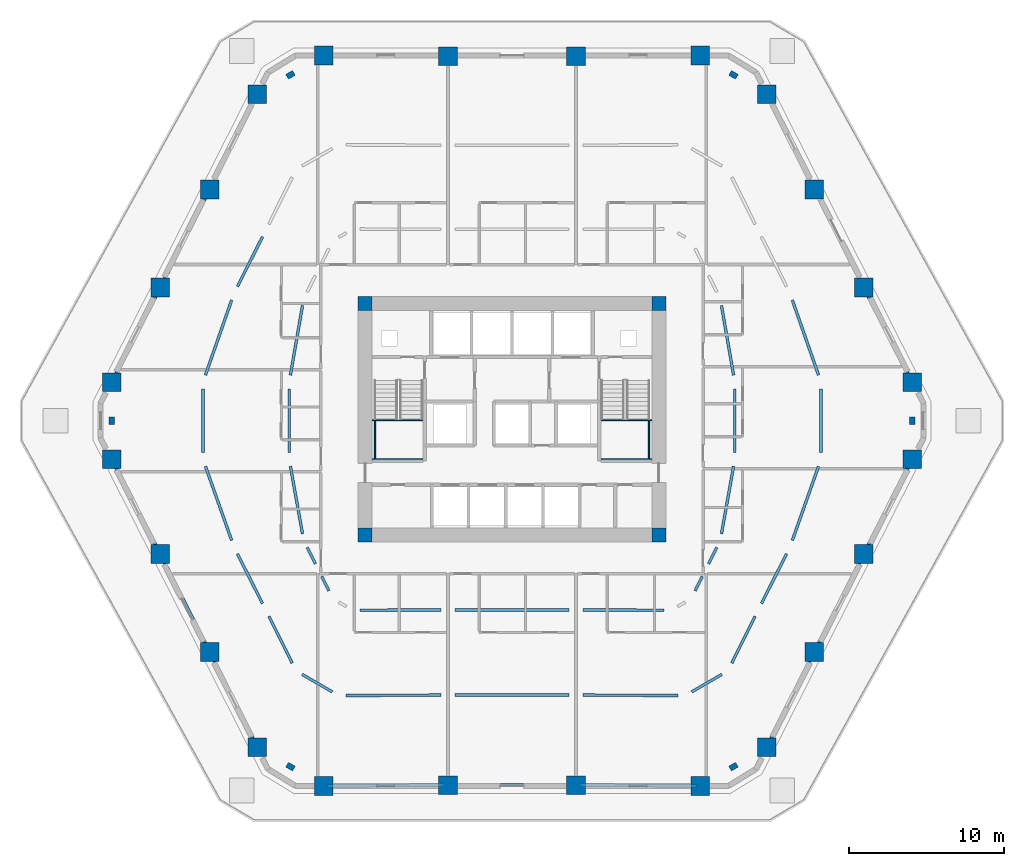
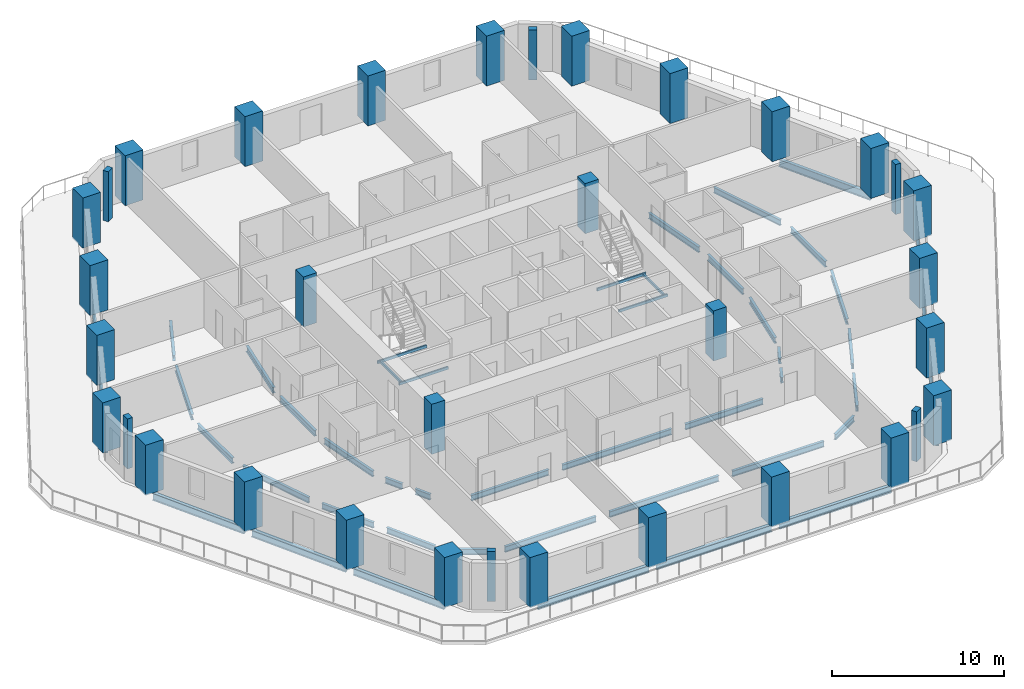
# One storey, part 1 of 10: 47 beams, 34 columns.
"""IFC4 building model written with IfcOpenShell, lengths in metres."""

import ifcopenshell
import ifcopenshell.guid

model = None  # the IFC model being written
_history = None  # IfcOwnerHistory: only IFC2X3 demands one
_inside = {}  # id of a spatial element -> (the spatial element, [elements in it])
_under = {}  # id of a project, library or spatial element -> (it, [spatial elements below it])
_declared = {}  # id of a project -> (the project, [libraries it declares])
_typed = {}  # id of a type object -> (the type object, [elements of that type])
_made_of = {}  # id of a material, layer set ... -> (it, [elements and type objects made of it])


def new_model(schema):
    """Start an empty IFC model of exactly this schema.

    Asked for "IFC4X3", IfcOpenShell would pick the latest addendum, in which some entities
    have other attributes; the version numbers below select the first issue.
    IFC2X3 requires an IfcOwnerHistory on every rooted entity: one is made here for all.
    """
    global model, _history
    if schema == "IFC4X3":
        model = ifcopenshell.file(schema_version=(4, 3, 0, 0))
    else:
        model = ifcopenshell.file(schema=schema)
    _inside.clear()
    _under.clear()
    _declared.clear()
    _typed.clear()
    _made_of.clear()
    _history = None
    if model.schema == "IFC2X3":
        org = make("IfcOrganization", Name="unknown")
        user = make(
            "IfcPersonAndOrganization",
            ThePerson=make("IfcPerson", FamilyName="unknown"),
            TheOrganization=org,
        )
        app = make(
            "IfcApplication",
            ApplicationDeveloper=org,
            Version="unknown",
            ApplicationFullName="unknown",
            ApplicationIdentifier="unknown",
        )
        _history = make(
            "IfcOwnerHistory",
            OwningUser=user,
            OwningApplication=app,
            ChangeAction="ADDED",
            CreationDate=0,
        )
    return model


def make(cls, **values):
    """One entity of the class cls with the attributes given. An attribute that is None is left unset."""
    return model.create_entity(
        cls, **{name: value for name, value in values.items() if value is not None}
    )


def rooted(cls, **values):
    """An entity with a GlobalId (a new one), such as an element, a storey or a relation."""
    return make(cls, GlobalId=ifcopenshell.guid.new(), OwnerHistory=_history, **values)


def si_unit(unit_type, name, prefix=None):
    """IfcSIUnit, for example si_unit("LENGTHUNIT", "METRE", prefix="MILLI")."""
    return make("IfcSIUnit", UnitType=unit_type, Prefix=prefix, Name=name)


def assignment(units):
    """IfcUnitAssignment: the units of a project."""
    return None if units is None else make("IfcUnitAssignment", Units=units)


def point(xyz):
    """IfcCartesianPoint."""
    return None if xyz is None else make("IfcCartesianPoint", Coordinates=xyz)


def direction(xyz):
    """IfcDirection."""
    return None if xyz is None else make("IfcDirection", DirectionRatios=xyz)


def frame(location, z_axis=None, x_axis=None):
    """IfcAxis2Placement3D, a coordinate frame: its origin and axes. An axis left out is left unset."""
    return make(
        "IfcAxis2Placement3D",
        Location=point(location),
        Axis=direction(z_axis),
        RefDirection=direction(x_axis),
    )


def frame_2d(location, x_axis=None):
    """IfcAxis2Placement2D, a coordinate frame in the plane: its origin and x axis."""
    return make(
        "IfcAxis2Placement2D", Location=point(location), RefDirection=direction(x_axis)
    )


def origin():
    """The frame at (0, 0, 0) with its axes left unset."""
    return frame((0.0, 0.0, 0.0))


def origin_2d():
    """The frame at (0, 0) in the plane with its x axis left unset."""
    return frame_2d((0.0, 0.0))


def place(relative_to, where):
    """IfcLocalPlacement: puts the frame where relative to a parent placement (None: the world)."""
    return make(
        "IfcLocalPlacement", PlacementRelTo=relative_to, RelativePlacement=where
    )


def context(
    kind, dimensions, precision=None, world=None, true_north=None, identifier=None
):
    """IfcGeometricRepresentationContext, for example the 3D "Model" context."""
    return make(
        "IfcGeometricRepresentationContext",
        ContextIdentifier=identifier,
        ContextType=kind,
        CoordinateSpaceDimension=dimensions,
        Precision=precision,
        WorldCoordinateSystem=world,
        TrueNorth=true_north,
    )


def subcontext(parent, identifier, kind, view, scale=None):
    """IfcGeometricRepresentationSubContext, for example "Body" below "Model"."""
    return make(
        "IfcGeometricRepresentationSubContext",
        ContextIdentifier=identifier,
        ContextType=kind,
        ParentContext=parent,
        TargetScale=scale,
        TargetView=view,
    )


def project(units=None, contexts=None):
    """IfcProject with its units and contexts."""
    return rooted(
        "IfcProject",
        Name="project",
        RepresentationContexts=contexts,
        UnitsInContext=assignment(units),
    )


def spatial(cls, under=None, at=None, **own):
    """A site, building, storey or space (cls), placed at a placement, below another one or the project."""
    s = rooted(cls, ObjectPlacement=at, **own)
    if under is not None:
        _under.setdefault(under.id(), (under, []))[1].append(s)
    return s


def profile(cls, at=None, kind="AREA", **sizes):
    """A parametric profile (cls). Its sizes go by their IFC names, for example OverallWidth=200.0."""
    return make(cls, ProfileType=kind, Position=at, **sizes)


def rectangle(**sizes):
    """IfcRectangleProfileDef."""
    return profile("IfcRectangleProfileDef", **sizes)


def hollow_rectangle(**sizes):
    """IfcRectangleHollowProfileDef."""
    return profile("IfcRectangleHollowProfileDef", **sizes)


def i_section(**sizes):
    """IfcIShapeProfileDef."""
    return profile("IfcIShapeProfileDef", **sizes)


def extrude(swept, where, along, depth):
    """IfcExtrudedAreaSolid: the profile swept, set in the frame where, extruded along a direction by depth."""
    return make(
        "IfcExtrudedAreaSolid",
        SweptArea=swept,
        Position=where,
        ExtrudedDirection=direction(along),
        Depth=depth,
    )


def shape(context_of_items, identifier, shape_type, items):
    """IfcShapeRepresentation: the items that make up one representation, for example the "Body"."""
    return make(
        "IfcShapeRepresentation",
        ContextOfItems=context_of_items,
        RepresentationIdentifier=identifier,
        RepresentationType=shape_type,
        Items=items,
    )


def material(Name=None, Category=None):
    """IfcMaterial."""
    return make("IfcMaterial", Name=Name, Category=Category)


def material_profile(
    of_material, cross_section, Name=None, Category=None, Priority=None
):
    """IfcMaterialProfile: a cross section and its material."""
    return make(
        "IfcMaterialProfile",
        Name=Name,
        Material=of_material,
        Profile=cross_section,
        Priority=Priority,
        Category=Category,
    )


def profile_set(profiles, Name=None, composite=None):
    """IfcMaterialProfileSet."""
    return make(
        "IfcMaterialProfileSet",
        Name=Name,
        MaterialProfiles=profiles,
        CompositeProfile=composite,
    )


def made_of(thing, what):
    """Note that an element or type object is made of a material, layer set ...; save() writes the relation."""
    if what is not None:
        _made_of.setdefault(what.id(), (what, []))[1].append(thing)
    return thing


def type_object(cls, material=None, **own):
    """A type object (cls), such as IfcWallType, which elements share."""
    return made_of(rooted(cls, **own), material)


def element(
    cls,
    number,
    at=None,
    inside=None,
    cuts=None,
    type_object=None,
    material=None,
    context=None,
    identifier="Body",
    shape_type=None,
    held_by="IfcProductDefinitionShape",
    body=None,
    shapes=None,
    **own,
):
    """One element of the class cls, such as IfcWall. Its Tag is "e" and its number.

    at: its placement. inside: the storey or other place that contains it. cuts: it is an
    opening in that element (IfcRelVoidsElement). A single representation is given by context,
    identifier, shape_type and body (its items); several are given by shapes. held_by: the class
    of the entity that holds the representations. save() writes the other relations.
    """
    e = rooted(cls, Tag="e%d" % number, ObjectPlacement=at, **own)
    if body is not None:
        shapes = [shape(context, identifier, shape_type, body)]
    if shapes is not None:
        e.Representation = make(held_by, Representations=shapes)
    if inside is not None:
        _inside.setdefault(inside.id(), (inside, []))[1].append(e)
    if cuts is not None:
        rooted(
            "IfcRelVoidsElement", RelatingBuildingElement=cuts, RelatedOpeningElement=e
        )
    if type_object is not None:
        _typed.setdefault(type_object.id(), (type_object, []))[1].append(e)
    return made_of(e, material)


def aggregate(whole, parts):
    """IfcRelAggregates: a whole, such as a stair, and the parts it consists of."""
    return rooted("IfcRelAggregates", RelatingObject=whole, RelatedObjects=parts)


def save(model, path):
    """Write the relations noted so far, then the file.

    IfcRelAggregates (storeys below a building ...), IfcRelContainedInSpatialStructure (elements
    in a storey), IfcRelDefinesByType, IfcRelAssociatesMaterial and IfcRelDeclares: one each for
    every whole, place, type object, material and project.
    """
    for whole, parts in _under.values():
        aggregate(whole, parts)
    for where, things in _inside.values():
        rooted(
            "IfcRelContainedInSpatialStructure",
            RelatedElements=things,
            RelatingStructure=where,
        )
    for kind, things in _typed.values():
        rooted("IfcRelDefinesByType", RelatedObjects=things, RelatingType=kind)
    for what, things in _made_of.values():
        rooted("IfcRelAssociatesMaterial", RelatedObjects=things, RelatingMaterial=what)
    for by, libraries in _declared.values():
        rooted("IfcRelDeclares", RelatingContext=by, RelatedDefinitions=libraries)
    model.write(path)


model = new_model("IFC4")

# Units and contexts
model_context = context("Model", 3, precision=1e-05, world=origin(), true_north=direction((0.0, 1.0)))
body_context = subcontext(model_context, "Body", "Model", "MODEL_VIEW")
ifc_project = project(units=[si_unit("LENGTHUNIT", "METRE"), si_unit("AREAUNIT", "SQUARE_METRE"), si_unit("VOLUMEUNIT", "CUBIC_METRE"), si_unit("PLANEANGLEUNIT", "RADIAN"), si_unit("MASSUNIT", "GRAM", prefix="KILO")], contexts=[model_context])

# Site, building, storey
site_placement = place(None, origin())
site = spatial("IfcSite", under=ifc_project, at=site_placement, CompositionType="ELEMENT")
building_placement = place(site_placement, origin())
building = spatial("IfcBuilding", under=site, at=building_placement, Name="Cinnabar Lancet Tower", CompositionType="ELEMENT")
storey_placement = place(building_placement, frame((0.0, 0.0, 24.89990234375)))
storey = spatial("IfcBuildingStorey", under=building, at=storey_placement, Name="L05", CompositionType="ELEMENT", Elevation=24.89990234375)

# Columns
ifc_material_1 = material(Name="Concrete C80/95", Category="concrete")
ifc_material_profile_1 = material_profile(ifc_material_1, rectangle(XDim=0.89990234375, YDim=0.89990234375, at=origin_2d()), Name="RC-COL 900x900")
ifc_profile_set_1 = profile_set([ifc_material_profile_1], Name="Concrete C80/95")
column_type_1 = type_object("IfcColumnType", Name="STR-COL-CORE-900", PredefinedType="COLUMN", material=ifc_profile_set_1)
for number, where, z_axis, x_axis, name in (
    (1, (22.949951171875, 18.449951171875, 0.0), (0.0, 0.0, 1.0), (1.0, 0.0, 0.0), "L05 Core Corner Column SW"),
    (2, (41.85009765625, 18.449951171875, 0.0), (0.0, 0.0, 1.0), (1.0, 0.0, 0.0), "L05 Core Corner Column SE"),
    (3, (41.85009765625, 33.35009765625, 0.0), (0.0, 0.0, 1.0), (1.0, 0.0, 0.0), "L05 Core Corner Column NE"),
    (4, (22.949951171875, 33.35009765625, 0.0), (0.0, 0.0, 1.0), (1.0, 0.0, 0.0), "L05 Core Corner Column NW"),
):
    element("IfcColumn", number, at=place(storey_placement, frame(where, z_axis=z_axis, x_axis=x_axis)), inside=storey, type_object=column_type_1, Name=name, PredefinedType="COLUMN", context=body_context, shape_type="SweptSolid", body=[
        extrude(rectangle(XDim=0.89990234375, YDim=0.89990234375, at=origin_2d()), origin(), (0.0, 0.0, 1.0), 3.550048828125),
    ])
ifc_material_2 = material(Name="Concrete C60/75", Category="concrete")
ifc_material_profile_2 = material_profile(ifc_material_2, rectangle(XDim=0.5, YDim=0.35009765625, at=origin_2d()), Name="RC-PIL 500x350")
ifc_profile_set_2 = profile_set([ifc_material_profile_2], Name="Concrete C60/75")
column_type_2 = type_object("IfcColumnType", Name="STR-COL-PIL-500", PredefinedType="PILASTER", material=ifc_profile_set_2)
for number, where, z_axis, x_axis, name in (
    (5, (18.139892578125, 3.531005859375, 0.0), (0.0, 0.0, 1.0), (0.865195182343, -0.501435236546, 0.0), "L05 Chamfered Corner Pilaster 1"),
    (6, (46.659912109375, 3.531005859375, 0.0), (0.0, 0.0, 1.0), (0.865195182343, 0.501435236546, 0.0), "L05 Chamfered Corner Pilaster 2"),
    (7, (58.16796875, 25.800048828125, 0.0), (0.0, 0.0, 1.0), (0.0, 1.0, 0.0), "L05 Chamfered Corner Pilaster 3"),
    (8, (46.659912109375, 48.069091796875, 0.0), (0.0, 0.0, 1.0), (-0.865195182343, 0.501435236546, 0.0), "L05 Chamfered Corner Pilaster 4"),
    (9, (18.139892578125, 48.069091796875, 0.0), (0.0, 0.0, 1.0), (-0.865195182343, -0.501435236546, 0.0), "L05 Chamfered Corner Pilaster 5"),
    (10, (6.632080078125, 25.800048828125, 0.0), (0.0, 0.0, 1.0), (0.0, -1.0, 0.0), "L05 Chamfered Corner Pilaster 6"),
):
    element("IfcColumn", number, at=place(storey_placement, frame(where, z_axis=z_axis, x_axis=x_axis)), inside=storey, type_object=column_type_2, Name=name, PredefinedType="PILASTER", context=body_context, shape_type="SweptSolid", body=[
        extrude(rectangle(XDim=0.5, YDim=0.35009765625, at=origin_2d()), origin(), (0.0, 0.0, 1.0), 3.550048828125),
    ])
ifc_material_3 = material(Name="Concrete C80/95", Category="concrete")
ifc_material_profile_3 = material_profile(ifc_material_3, rectangle(XDim=1.199951171875, YDim=1.199951171875, at=origin_2d()), Name="RC-COL 1200x1200")
ifc_profile_set_3 = profile_set([ifc_material_profile_3], Name="Concrete C80/95")
column_type_3 = type_object("IfcColumnType", Name="STR-COL-TUBE-1200", PredefinedType="COLUMN", material=ifc_profile_set_3)
for number, where, z_axis, x_axis, name in (
    (11, (20.282958984375, 2.2890625, 0.0), (0.0, 0.0, 1.0), (1.0, 0.0, 0.0), "L05 Perimeter Tube Column 1"),
    (12, (28.278076171875, 2.342041015625, 0.0), (0.0, 0.0, 1.0), (1.0, 0.0, 0.0), "L05 Perimeter Tube Column 2"),
    (13, (36.52197265625, 2.342041015625, 0.0), (0.0, 0.0, 1.0), (1.0, 0.0, 0.0), "L05 Perimeter Tube Column 3"),
    (14, (44.51708984375, 2.2890625, 0.0), (0.0, 0.0, 1.0), (1.0, 0.0, 0.0), "L05 Perimeter Tube Column 4"),
    (15, (48.802978515625, 4.77294921875, 0.0), (0.0, 0.0, 1.0), (1.0, 0.0, 0.0), "L05 Perimeter Tube Column 5"),
    (16, (51.85888671875, 10.908935546875, 0.0), (0.0, 0.0, 1.0), (1.0, 0.0, 0.0), "L05 Perimeter Tube Column 6"),
    (17, (55.0458984375, 17.219970703125, 0.0), (0.0, 0.0, 1.0), (1.0, 0.0, 0.0), "L05 Perimeter Tube Column 7"),
    (18, (58.16796875, 23.31396484375, 0.0), (0.0, 0.0, 1.0), (1.0, 0.0, 0.0), "L05 Perimeter Tube Column 8"),
    (19, (58.16796875, 28.285888671875, 0.0), (0.0, 0.0, 1.0), (1.0, 0.0, 0.0), "L05 Perimeter Tube Column 9"),
    (20, (55.0458984375, 34.3798828125, 0.0), (0.0, 0.0, 1.0), (1.0, 0.0, 0.0), "L05 Perimeter Tube Column 10"),
    (21, (51.85888671875, 40.69091796875, 0.0), (0.0, 0.0, 1.0), (1.0, 0.0, 0.0), "L05 Perimeter Tube Column 11"),
    (22, (48.802978515625, 46.826904296875, 0.0), (0.0, 0.0, 1.0), (1.0, 0.0, 0.0), "L05 Perimeter Tube Column 12"),
    (23, (44.51708984375, 49.31103515625, 0.0), (0.0, 0.0, 1.0), (1.0, 0.0, 0.0), "L05 Perimeter Tube Column 13"),
    (24, (36.52197265625, 49.258056640625, 0.0), (0.0, 0.0, 1.0), (1.0, 0.0, 0.0), "L05 Perimeter Tube Column 14"),
    (25, (28.278076171875, 49.258056640625, 0.0), (0.0, 0.0, 1.0), (1.0, 0.0, 0.0), "L05 Perimeter Tube Column 15"),
    (26, (20.282958984375, 49.31103515625, 0.0), (0.0, 0.0, 1.0), (1.0, 0.0, 0.0), "L05 Perimeter Tube Column 16"),
    (27, (15.9970703125, 46.826904296875, 0.0), (0.0, 0.0, 1.0), (1.0, 0.0, 0.0), "L05 Perimeter Tube Column 17"),
    (28, (12.94091796875, 40.69091796875, 0.0), (0.0, 0.0, 1.0), (1.0, 0.0, 0.0), "L05 Perimeter Tube Column 18"),
    (29, (9.75390625, 34.3798828125, 0.0), (0.0, 0.0, 1.0), (1.0, 0.0, 0.0), "L05 Perimeter Tube Column 19"),
    (30, (6.632080078125, 28.285888671875, 0.0), (0.0, 0.0, 1.0), (1.0, 0.0, 0.0), "L05 Perimeter Tube Column 20"),
    (31, (6.632080078125, 23.31396484375, 0.0), (0.0, 0.0, 1.0), (1.0, 0.0, 0.0), "L05 Perimeter Tube Column 21"),
    (32, (9.75390625, 17.219970703125, 0.0), (0.0, 0.0, 1.0), (1.0, 0.0, 0.0), "L05 Perimeter Tube Column 22"),
    (33, (12.94091796875, 10.908935546875, 0.0), (0.0, 0.0, 1.0), (1.0, 0.0, 0.0), "L05 Perimeter Tube Column 23"),
    (34, (15.9970703125, 4.77294921875, 0.0), (0.0, 0.0, 1.0), (1.0, 0.0, 0.0), "L05 Perimeter Tube Column 24"),
):
    element("IfcColumn", number, at=place(storey_placement, frame(where, z_axis=z_axis, x_axis=x_axis)), inside=storey, type_object=column_type_3, Name=name, PredefinedType="COLUMN", context=body_context, shape_type="SweptSolid", body=[
        extrude(rectangle(XDim=1.199951171875, YDim=1.199951171875, at=origin_2d()), origin(), (0.0, 0.0, 1.0), 3.550048828125),
    ])

# Beams
ifc_material_4 = material(Name="Structural steel S355", Category="steel")
ifc_material_profile_4 = material_profile(ifc_material_4, i_section(OverallWidth=0.177978515625, OverallDepth=0.406494140625, WebThickness=0.0078125, FlangeThickness=0.0126953125, FilletRadius=0.01025390625, at=origin_2d()), Name="UKB 406x178x60")
ifc_profile_set_4 = profile_set([ifc_material_profile_4], Name="Structural steel S355")
beam_type_1 = type_object("IfcBeamType", Name="STR-BM-JST-406", PredefinedType="JOIST", material=ifc_profile_set_4)
beam_1_placement = place(storey_placement, frame((12.666015625, 22.864013671875, -0.4228515625), z_axis=(0.333295223928, -0.942822514425, 0.0), x_axis=(0.942822514425, 0.333295223928, 0.0)))
element("IfcBeam", 35, at=beam_1_placement, inside=storey, type_object=beam_type_1, Name="L05 Secondary Floor Joist 1", PredefinedType="JOIST", context=body_context, shape_type="SweptSolid", body=[
    extrude(i_section(OverallWidth=0.177978515625, OverallDepth=0.406494140625, WebThickness=0.0078125, FlangeThickness=0.0126953125, FilletRadius=0.01025390625, at=origin_2d()), origin(), (0.0, 0.0, 1.0), 5.052734375),
])
beam_2_placement = place(storey_placement, frame((18.135009765625, 22.864013671875, -0.4228515625), z_axis=(0.176325536784, -0.984331907985, 0.0), x_axis=(0.984331907985, 0.176325536784, 0.0)))
element("IfcBeam", 36, at=beam_2_placement, inside=storey, type_object=beam_type_1, Name="L05 Secondary Floor Joist 2", PredefinedType="JOIST", context=body_context, shape_type="SweptSolid", body=[
    extrude(i_section(OverallWidth=0.177978515625, OverallDepth=0.406494140625, WebThickness=0.0078125, FlangeThickness=0.0126953125, FilletRadius=0.01025390625, at=origin_2d()), origin(), (0.0, 0.0, 1.0), 4.4072265625),
])
beam_3_placement = place(storey_placement, frame((14.722900390625, 17.23095703125, -0.4228515625), z_axis=(0.450671184194, -0.892690026682, 0.0), x_axis=(0.892690026682, 0.450671184194, 0.0)))
element("IfcBeam", 37, at=beam_3_placement, inside=storey, type_object=beam_type_1, Name="L05 Secondary Floor Joist 3", PredefinedType="JOIST", context=body_context, shape_type="SweptSolid", body=[
    extrude(i_section(OverallWidth=0.177978515625, OverallDepth=0.406494140625, WebThickness=0.0078125, FlangeThickness=0.0126953125, FilletRadius=0.01025390625, at=origin_2d()), origin(), (0.0, 0.0, 1.0), 3.58349609375),
])
beam_4_placement = place(storey_placement, frame((19.208984375, 17.64892578125, -0.4228515625), z_axis=(0.450934740175, -0.892556922613, 0.0), x_axis=(0.892556922613, 0.450934740175, 0.0)))
element("IfcBeam", 38, at=beam_4_placement, inside=storey, type_object=beam_type_1, Name="L05 Secondary Floor Joist 4", PredefinedType="JOIST", context=body_context, shape_type="SweptSolid", body=[
    extrude(i_section(OverallWidth=0.177978515625, OverallDepth=0.406494140625, WebThickness=0.0078125, FlangeThickness=0.0126953125, FilletRadius=0.01025390625, at=origin_2d()), origin(), (0.0, 0.0, 1.0), 1.1796875),
])
beam_5_placement = place(storey_placement, frame((16.748046875, 13.214111328125, -0.4228515625), z_axis=(0.445763841273, -0.895150600633, 0.0), x_axis=(0.895150600633, 0.445763841273, 0.0)))
element("IfcBeam", 39, at=beam_5_placement, inside=storey, type_object=beam_type_1, Name="L05 Secondary Floor Joist 5", PredefinedType="JOIST", context=body_context, shape_type="SweptSolid", body=[
    extrude(i_section(OverallWidth=0.177978515625, OverallDepth=0.406494140625, WebThickness=0.0078125, FlangeThickness=0.0126953125, FilletRadius=0.01025390625, at=origin_2d()), origin(), (0.0, 0.0, 1.0), 3.369384765625),
])
beam_6_placement = place(storey_placement, frame((20.15087890625, 15.778076171875, -0.4228515625), z_axis=(0.44570925278, -0.895177782335, 0.0), x_axis=(0.895177782335, 0.44570925278, 0.0)))
element("IfcBeam", 40, at=beam_6_placement, inside=storey, type_object=beam_type_1, Name="L05 Secondary Floor Joist 6", PredefinedType="JOIST", context=body_context, shape_type="SweptSolid", body=[
    extrude(i_section(OverallWidth=0.177978515625, OverallDepth=0.406494140625, WebThickness=0.0078125, FlangeThickness=0.0126953125, FilletRadius=0.01025390625, at=origin_2d()), origin(), (0.0, 0.0, 1.0), 1.0390625),
])
beam_7_placement = place(storey_placement, frame((18.889892578125, 9.470947265625, -0.4228515625), z_axis=(0.865112573379, -0.501577746098, 0.0), x_axis=(0.501577746098, 0.865112573379, 0.0)))
element("IfcBeam", 41, at=beam_7_placement, inside=storey, type_object=beam_type_1, Name="L05 Secondary Floor Joist 7", PredefinedType="JOIST", context=body_context, shape_type="SweptSolid", body=[
    extrude(i_section(OverallWidth=0.177978515625, OverallDepth=0.406494140625, WebThickness=0.0078125, FlangeThickness=0.0126953125, FilletRadius=0.01025390625, at=origin_2d()), origin(), (0.0, 0.0, 1.0), 2.239013671875),
])
beam_8_placement = place(storey_placement, frame((21.699951171875, 8.10888671875, -0.4228515625), z_axis=(0.999987993264, 0.004900339569, 0.0), x_axis=(-0.004900339569, 0.999987993264, 0.0)))
element("IfcBeam", 42, at=beam_8_placement, inside=storey, type_object=beam_type_1, Name="L05 Secondary Floor Joist 9", PredefinedType="JOIST", context=body_context, shape_type="SweptSolid", body=[
    extrude(i_section(OverallWidth=0.177978515625, OverallDepth=0.406494140625, WebThickness=0.0078125, FlangeThickness=0.0126953125, FilletRadius=0.01025390625, at=origin_2d()), origin(), (0.0, 0.0, 1.0), 6.1279296875),
])
beam_9_placement = place(storey_placement, frame((22.60595703125, 13.60302734375, -0.4228515625), z_axis=(0.999996929997, 0.002477901598, 0.0), x_axis=(-0.002477901598, 0.999996929997, 0.0)))
element("IfcBeam", 43, at=beam_9_placement, inside=storey, type_object=beam_type_1, Name="L05 Secondary Floor Joist 10", PredefinedType="JOIST", context=body_context, shape_type="SweptSolid", body=[
    extrude(i_section(OverallWidth=0.177978515625, OverallDepth=0.406494140625, WebThickness=0.0078125, FlangeThickness=0.0126953125, FilletRadius=0.01025390625, at=origin_2d()), origin(), (0.0, 0.0, 1.0), 5.221923828125),
])
for number, where, z_axis, x_axis, name in (
    (44, (28.72802734375, 8.14111328125, -0.4228515625), (1.0, 0.0, 0.0), (0.0, 1.0, 0.0), "L05 Secondary Floor Joist 11"),
    (45, (28.72802734375, 13.617919921875, -0.4228515625), (1.0, 0.0, 0.0), (0.0, 1.0, 0.0), "L05 Secondary Floor Joist 12"),
):
    element("IfcBeam", number, at=place(storey_placement, frame(where, z_axis=z_axis, x_axis=x_axis)), inside=storey, type_object=beam_type_1, Name=name, PredefinedType="JOIST", context=body_context, shape_type="SweptSolid", body=[
        extrude(i_section(OverallWidth=0.177978515625, OverallDepth=0.406494140625, WebThickness=0.0078125, FlangeThickness=0.0126953125, FilletRadius=0.01025390625, at=origin_2d()), origin(), (0.0, 0.0, 1.0), 7.343994140625),
    ])
beam_10_placement = place(storey_placement, frame((36.971923828125, 8.138916015625, -0.4228515625), z_axis=(0.999987994221, -0.004900144348, 0.0), x_axis=(0.004900144348, 0.999987994221, 0.0)))
element("IfcBeam", 46, at=beam_10_placement, inside=storey, type_object=beam_type_1, Name="L05 Secondary Floor Joist 13", PredefinedType="JOIST", context=body_context, shape_type="SweptSolid", body=[
    extrude(i_section(OverallWidth=0.177978515625, OverallDepth=0.406494140625, WebThickness=0.0078125, FlangeThickness=0.0126953125, FilletRadius=0.01025390625, at=origin_2d()), origin(), (0.0, 0.0, 1.0), 6.128173828125),
])
beam_11_placement = place(storey_placement, frame((36.971923828125, 13.615966796875, -0.4228515625), z_axis=(0.999996930284, -0.002477785755, 0.0), x_axis=(0.002477785755, 0.999996930284, 0.0)))
element("IfcBeam", 47, at=beam_11_placement, inside=storey, type_object=beam_type_1, Name="L05 Secondary Floor Joist 14", PredefinedType="JOIST", context=body_context, shape_type="SweptSolid", body=[
    extrude(i_section(OverallWidth=0.177978515625, OverallDepth=0.406494140625, WebThickness=0.0078125, FlangeThickness=0.0126953125, FilletRadius=0.01025390625, at=origin_2d()), origin(), (0.0, 0.0, 1.0), 5.22216796875),
])
beam_12_placement = place(storey_placement, frame((43.972900390625, 8.347900390625, -0.4228515625), z_axis=(0.865112573379, 0.501577746098, 0.0), x_axis=(-0.501577746098, 0.865112573379, 0.0)))
element("IfcBeam", 48, at=beam_12_placement, inside=storey, type_object=beam_type_1, Name="L05 Secondary Floor Joist 15", PredefinedType="JOIST", context=body_context, shape_type="SweptSolid", body=[
    extrude(i_section(OverallWidth=0.177978515625, OverallDepth=0.406494140625, WebThickness=0.0078125, FlangeThickness=0.0126953125, FilletRadius=0.01025390625, at=origin_2d()), origin(), (0.0, 0.0, 1.0), 2.239013671875),
])
beam_13_placement = place(storey_placement, frame((46.550048828125, 10.197998046875, -0.4228515625), z_axis=(0.445763841273, 0.895150600633, 0.0), x_axis=(-0.895150600633, 0.445763841273, 0.0)))
element("IfcBeam", 49, at=beam_13_placement, inside=storey, type_object=beam_type_1, Name="L05 Secondary Floor Joist 17", PredefinedType="JOIST", context=body_context, shape_type="SweptSolid", body=[
    extrude(i_section(OverallWidth=0.177978515625, OverallDepth=0.406494140625, WebThickness=0.0078125, FlangeThickness=0.0126953125, FilletRadius=0.01025390625, at=origin_2d()), origin(), (0.0, 0.0, 1.0), 3.369384765625),
])
beam_14_placement = place(storey_placement, frame((44.18603515625, 14.847900390625, -0.4228515625), z_axis=(0.44552094376, 0.895271516732, 0.0), x_axis=(-0.895271516732, 0.44552094376, 0.0)))
element("IfcBeam", 50, at=beam_14_placement, inside=storey, type_object=beam_type_1, Name="L05 Secondary Floor Joist 18", PredefinedType="JOIST", context=body_context, shape_type="SweptSolid", body=[
    extrude(i_section(OverallWidth=0.177978515625, OverallDepth=0.406494140625, WebThickness=0.0078125, FlangeThickness=0.0126953125, FilletRadius=0.01025390625, at=origin_2d()), origin(), (0.0, 0.0, 1.0), 1.0390625),
])
beam_15_placement = place(storey_placement, frame((48.4619140625, 14.031982421875, -0.4228515625), z_axis=(0.450671184194, 0.892690026682, 0.0), x_axis=(-0.892690026682, 0.450671184194, 0.0)))
element("IfcBeam", 51, at=beam_15_placement, inside=storey, type_object=beam_type_1, Name="L05 Secondary Floor Joist 19", PredefinedType="JOIST", context=body_context, shape_type="SweptSolid", body=[
    extrude(i_section(OverallWidth=0.177978515625, OverallDepth=0.406494140625, WebThickness=0.0078125, FlangeThickness=0.0126953125, FilletRadius=0.01025390625, at=origin_2d()), origin(), (0.0, 0.0, 1.0), 3.58349609375),
])
beam_16_placement = place(storey_placement, frame((45.05908203125, 16.595947265625, -0.4228515625), z_axis=(0.450934740175, 0.892556922613, 0.0), x_axis=(-0.892556922613, 0.450934740175, 0.0)))
element("IfcBeam", 52, at=beam_16_placement, inside=storey, type_object=beam_type_1, Name="L05 Secondary Floor Joist 20", PredefinedType="JOIST", context=body_context, shape_type="SweptSolid", body=[
    extrude(i_section(OverallWidth=0.177978515625, OverallDepth=0.406494140625, WebThickness=0.0078125, FlangeThickness=0.0126953125, FilletRadius=0.01025390625, at=origin_2d()), origin(), (0.0, 0.0, 1.0), 1.1796875),
])
beam_17_placement = place(storey_placement, frame((50.449951171875, 18.10009765625, -0.4228515625), z_axis=(0.333295223928, 0.942822514425, 0.0), x_axis=(-0.942822514425, 0.333295223928, 0.0)))
element("IfcBeam", 53, at=beam_17_placement, inside=storey, type_object=beam_type_1, Name="L05 Secondary Floor Joist 21", PredefinedType="JOIST", context=body_context, shape_type="SweptSolid", body=[
    extrude(i_section(OverallWidth=0.177978515625, OverallDepth=0.406494140625, WebThickness=0.0078125, FlangeThickness=0.0126953125, FilletRadius=0.01025390625, at=origin_2d()), origin(), (0.0, 0.0, 1.0), 5.052734375),
])
beam_18_placement = place(storey_placement, frame((45.887939453125, 18.52587890625, -0.4228515625), z_axis=(0.176325536784, 0.984331907985, 0.0), x_axis=(-0.984331907985, 0.176325536784, 0.0)))
element("IfcBeam", 54, at=beam_18_placement, inside=storey, type_object=beam_type_1, Name="L05 Secondary Floor Joist 22", PredefinedType="JOIST", context=body_context, shape_type="SweptSolid", body=[
    extrude(i_section(OverallWidth=0.177978515625, OverallDepth=0.406494140625, WebThickness=0.0078125, FlangeThickness=0.0126953125, FilletRadius=0.01025390625, at=origin_2d()), origin(), (0.0, 0.0, 1.0), 4.4072265625),
])
for number, where, z_axis, x_axis, name in (
    (55, (52.2939453125, 23.763916015625, -0.4228515625), (0.0, 1.0, 0.0), (-1.0, 0.0, 0.0), "L05 Secondary Floor Joist 23"),
    (56, (46.7451171875, 23.763916015625, -0.4228515625), (0.0, 1.0, 0.0), (-1.0, 0.0, 0.0), "L05 Secondary Floor Joist 24"),
):
    element("IfcBeam", number, at=place(storey_placement, frame(where, z_axis=z_axis, x_axis=x_axis)), inside=storey, type_object=beam_type_1, Name=name, PredefinedType="JOIST", context=body_context, shape_type="SweptSolid", body=[
        extrude(i_section(OverallWidth=0.177978515625, OverallDepth=0.406494140625, WebThickness=0.0078125, FlangeThickness=0.0126953125, FilletRadius=0.01025390625, at=origin_2d()), origin(), (0.0, 0.0, 1.0), 4.072021484375),
    ])
beam_19_placement = place(storey_placement, frame((52.135986328125, 28.736083984375, -0.4228515625), z_axis=(-0.329500676404, 0.944155339046, 0.0), x_axis=(-0.944155339046, -0.329500676404, 0.0)))
element("IfcBeam", 57, at=beam_19_placement, inside=storey, type_object=beam_type_1, Name="L05 Secondary Floor Joist 25", PredefinedType="JOIST", context=body_context, shape_type="SweptSolid", body=[
    extrude(i_section(OverallWidth=0.177978515625, OverallDepth=0.406494140625, WebThickness=0.0078125, FlangeThickness=0.0126953125, FilletRadius=0.01025390625, at=origin_2d()), origin(), (0.0, 0.0, 1.0), 5.119873046875),
])
beam_20_placement = place(storey_placement, frame((46.6669921875, 28.736083984375, -0.4228515625), z_axis=(-0.171814877591, 0.985129254382, 0.0), x_axis=(-0.985129254382, -0.171814877591, 0.0)))
element("IfcBeam", 58, at=beam_20_placement, inside=storey, type_object=beam_type_1, Name="L05 Secondary Floor Joist 26", PredefinedType="JOIST", context=body_context, shape_type="SweptSolid", body=[
    extrude(i_section(OverallWidth=0.177978515625, OverallDepth=0.406494140625, WebThickness=0.0078125, FlangeThickness=0.0126953125, FilletRadius=0.01025390625, at=origin_2d()), origin(), (0.0, 0.0, 1.0), 4.545654296875),
])
beam_21_placement = place(storey_placement, frame((16.339111328125, 37.64111328125, -0.4228515625), z_axis=(-0.45078084277, -0.892634657512, 0.0), x_axis=(0.892634657512, -0.45078084277, 0.0)))
element("IfcBeam", 59, at=beam_21_placement, inside=storey, type_object=beam_type_1, Name="L05 Secondary Floor Joist 43", PredefinedType="JOIST", context=body_context, shape_type="SweptSolid", body=[
    extrude(i_section(OverallWidth=0.177978515625, OverallDepth=0.406494140625, WebThickness=0.0078125, FlangeThickness=0.0126953125, FilletRadius=0.01025390625, at=origin_2d()), origin(), (0.0, 0.0, 1.0), 3.582763671875),
])
beam_22_placement = place(storey_placement, frame((14.35107421875, 33.570068359375, -0.4228515625), z_axis=(-0.329500676404, -0.944155339046, 0.0), x_axis=(0.944155339046, -0.329500676404, 0.0)))
element("IfcBeam", 60, at=beam_22_placement, inside=storey, type_object=beam_type_1, Name="L05 Secondary Floor Joist 45", PredefinedType="JOIST", context=body_context, shape_type="SweptSolid", body=[
    extrude(i_section(OverallWidth=0.177978515625, OverallDepth=0.406494140625, WebThickness=0.0078125, FlangeThickness=0.0126953125, FilletRadius=0.01025390625, at=origin_2d()), origin(), (0.0, 0.0, 1.0), 5.119873046875),
])
beam_23_placement = place(storey_placement, frame((18.9140625, 33.214111328125, -0.4228515625), z_axis=(-0.171814877591, -0.985129254382, 0.0), x_axis=(0.985129254382, -0.171814877591, 0.0)))
element("IfcBeam", 61, at=beam_23_placement, inside=storey, type_object=beam_type_1, Name="L05 Secondary Floor Joist 46", PredefinedType="JOIST", context=body_context, shape_type="SweptSolid", body=[
    extrude(i_section(OverallWidth=0.177978515625, OverallDepth=0.406494140625, WebThickness=0.0078125, FlangeThickness=0.0126953125, FilletRadius=0.01025390625, at=origin_2d()), origin(), (0.0, 0.0, 1.0), 4.545654296875),
])
for number, where, z_axis, x_axis, name in (
    (62, (12.506103515625, 27.8359375, -0.4228515625), (0.0, -1.0, 0.0), (1.0, 0.0, 0.0), "L05 Secondary Floor Joist 47"),
    (63, (18.054931640625, 27.8359375, -0.4228515625), (0.0, -1.0, 0.0), (1.0, 0.0, 0.0), "L05 Secondary Floor Joist 48"),
):
    element("IfcBeam", number, at=place(storey_placement, frame(where, z_axis=z_axis, x_axis=x_axis)), inside=storey, type_object=beam_type_1, Name=name, PredefinedType="JOIST", context=body_context, shape_type="SweptSolid", body=[
        extrude(i_section(OverallWidth=0.177978515625, OverallDepth=0.406494140625, WebThickness=0.0078125, FlangeThickness=0.0126953125, FilletRadius=0.01025390625, at=origin_2d()), origin(), (0.0, 0.0, 1.0), 4.072021484375),
    ])
ifc_material_5 = material(Name="Structural steel S355", Category="steel")
ifc_material_profile_5 = material_profile(ifc_material_5, hollow_rectangle(XDim=0.10009765625, YDim=0.199951171875, WallThickness=0.008056640625, InnerFilletRadius=0.00390625, OuterFilletRadius=0.011962890625, at=origin_2d()), Name="RHS 200x100x8")
ifc_profile_set_5 = profile_set([ifc_material_profile_5], Name="Structural steel S355")
beam_type_2 = type_object("IfcBeamType", Name="STR-BM-LND-203", PredefinedType="BEAM", material=ifc_profile_set_5)
for number, where, z_axis, x_axis, name in (
    (64, (23.39990234375, 23.330078125, 1.47509765625), (1.0, 0.0, 0.0), (0.0, 1.0, 0.0), "L05 ST-1-L05 Landing Support Beam S"),
    (65, (23.39990234375, 25.844970703125, 1.47509765625), (1.0, 0.0, 0.0), (0.0, 1.0, 0.0), "L05 ST-1-L05 Landing Support Beam N"),
):
    element("IfcBeam", number, at=place(storey_placement, frame(where, z_axis=z_axis, x_axis=x_axis)), inside=storey, type_object=beam_type_2, Name=name, PredefinedType="BEAM", context=body_context, shape_type="SweptSolid", body=[
        extrude(hollow_rectangle(XDim=0.10009765625, YDim=0.199951171875, WallThickness=0.008056640625, InnerFilletRadius=0.00390625, OuterFilletRadius=0.011962890625, at=origin_2d()), origin(), (0.0, 0.0, 1.0), 3.280029296875),
    ])
beam_24_placement = place(storey_placement, frame((23.580078125, 23.3798828125, 1.47509765625), z_axis=(0.0, 1.0, 0.0), x_axis=(-1.0, 0.0, 0.0)))
element("IfcBeam", 66, at=beam_24_placement, inside=storey, type_object=beam_type_2, Name="L05 ST-1-L05 Landing Side Trimmer Beam", PredefinedType="BEAM", context=body_context, shape_type="SweptSolid", body=[
    extrude(hollow_rectangle(XDim=0.10009765625, YDim=0.199951171875, WallThickness=0.008056640625, InnerFilletRadius=0.00390625, OuterFilletRadius=0.011962890625, at=origin_2d()), origin(), (0.0, 0.0, 1.0), 2.4150390625),
])
for number, where, z_axis, x_axis, name in (
    (67, (38.1201171875, 23.330078125, 1.47509765625), (1.0, 0.0, 0.0), (0.0, 1.0, 0.0), "L05 ST-2-L05 Landing Support Beam S"),
    (68, (38.1201171875, 25.844970703125, 1.47509765625), (1.0, 0.0, 0.0), (0.0, 1.0, 0.0), "L05 ST-2-L05 Landing Support Beam N"),
):
    element("IfcBeam", number, at=place(storey_placement, frame(where, z_axis=z_axis, x_axis=x_axis)), inside=storey, type_object=beam_type_2, Name=name, PredefinedType="BEAM", context=body_context, shape_type="SweptSolid", body=[
        extrude(hollow_rectangle(XDim=0.10009765625, YDim=0.199951171875, WallThickness=0.008056640625, InnerFilletRadius=0.00390625, OuterFilletRadius=0.011962890625, at=origin_2d()), origin(), (0.0, 0.0, 1.0), 3.27978515625),
    ])
beam_25_placement = place(storey_placement, frame((41.219970703125, 23.3798828125, 1.47509765625), z_axis=(0.0, 1.0, 0.0), x_axis=(-1.0, 0.0, 0.0)))
element("IfcBeam", 69, at=beam_25_placement, inside=storey, type_object=beam_type_2, Name="L05 ST-2-L05 Landing Side Trimmer Beam", PredefinedType="BEAM", context=body_context, shape_type="SweptSolid", body=[
    extrude(hollow_rectangle(XDim=0.10009765625, YDim=0.199951171875, WallThickness=0.008056640625, InnerFilletRadius=0.00390625, OuterFilletRadius=0.011962890625, at=origin_2d()), origin(), (0.0, 0.0, 1.0), 2.4150390625),
])
ifc_material_6 = material(Name="Structural steel S355", Category="steel")
ifc_material_profile_6 = material_profile(ifc_material_6, i_section(OverallWidth=0.209228515625, OverallDepth=0.533203125, WebThickness=0.010009765625, FlangeThickness=0.015625, FilletRadius=0.0126953125, at=origin_2d()), Name="UKB 533x210x92")
ifc_profile_set_6 = profile_set([ifc_material_profile_6], Name="Structural steel S355")
beam_type_3 = type_object("IfcBeamType", Name="STR-BM-SPN-533", PredefinedType="SPANDREL", material=ifc_profile_set_6)
beam_26_placement = place(storey_placement, frame((20.532958984375, 2.291015625, -0.48681640625), z_axis=(0.99997856757, 0.006547090947, 0.0), x_axis=(-0.006547090947, 0.99997856757, 0.0)))
element("IfcBeam", 70, at=beam_26_placement, inside=storey, type_object=beam_type_3, Name="L05 Perimeter Spandrel 1", PredefinedType="SPANDREL", context=body_context, shape_type="SweptSolid", body=[
    extrude(i_section(OverallWidth=0.209228515625, OverallDepth=0.533203125, WebThickness=0.010009765625, FlangeThickness=0.015625, FilletRadius=0.0126953125, at=origin_2d()), origin(), (0.0, 0.0, 1.0), 7.495361328125),
])
beam_27_placement = place(storey_placement, frame((28.528076171875, 2.342041015625, -0.48681640625), z_axis=(1.0, 0.0, 0.0), x_axis=(0.0, 1.0, 0.0)))
element("IfcBeam", 71, at=beam_27_placement, inside=storey, type_object=beam_type_3, Name="L05 Perimeter Spandrel 2", PredefinedType="SPANDREL", context=body_context, shape_type="SweptSolid", body=[
    extrude(i_section(OverallWidth=0.209228515625, OverallDepth=0.533203125, WebThickness=0.010009765625, FlangeThickness=0.015625, FilletRadius=0.0126953125, at=origin_2d()), origin(), (0.0, 0.0, 1.0), 7.743896484375),
])
beam_28_placement = place(storey_placement, frame((36.77197265625, 2.340087890625, -0.48681640625), z_axis=(0.99997856757, -0.006547090947, 0.0), x_axis=(0.006547090947, 0.99997856757, 0.0)))
element("IfcBeam", 72, at=beam_28_placement, inside=storey, type_object=beam_type_3, Name="L05 Perimeter Spandrel 3", PredefinedType="SPANDREL", context=body_context, shape_type="SweptSolid", body=[
    extrude(i_section(OverallWidth=0.209228515625, OverallDepth=0.533203125, WebThickness=0.010009765625, FlangeThickness=0.015625, FilletRadius=0.0126953125, at=origin_2d()), origin(), (0.0, 0.0, 1.0), 7.495361328125),
])
beam_29_placement = place(storey_placement, frame((48.9140625, 4.9970703125, -0.48681640625), z_axis=(0.445953050023, 0.89505635419, 0.0), x_axis=(-0.89505635419, 0.445953050023, 0.0)))
element("IfcBeam", 73, at=beam_29_placement, inside=storey, type_object=beam_type_3, Name="L05 Perimeter Spandrel 5", PredefinedType="SPANDREL", context=body_context, shape_type="SweptSolid", body=[
    extrude(i_section(OverallWidth=0.209228515625, OverallDepth=0.533203125, WebThickness=0.010009765625, FlangeThickness=0.015625, FilletRadius=0.0126953125, at=origin_2d()), origin(), (0.0, 0.0, 1.0), 6.35498046875),
])
beam_30_placement = place(storey_placement, frame((51.971923828125, 11.132080078125, -0.48681640625), z_axis=(0.450703143926, 0.892673891214, 0.0), x_axis=(-0.892673891214, 0.450703143926, 0.0)))
element("IfcBeam", 74, at=beam_30_placement, inside=storey, type_object=beam_type_3, Name="L05 Perimeter Spandrel 6", PredefinedType="SPANDREL", context=body_context, shape_type="SweptSolid", body=[
    extrude(i_section(OverallWidth=0.209228515625, OverallDepth=0.533203125, WebThickness=0.010009765625, FlangeThickness=0.015625, FilletRadius=0.0126953125, at=origin_2d()), origin(), (0.0, 0.0, 1.0), 6.570068359375),
])
for number, where, z_axis, x_axis, name in (
    (75, (55.159912109375, 17.443115234375, -0.48681640625), (0.456024522632, 0.889967209934, 0.0), (-0.889967209934, 0.456024522632, 0.0), "L05 Perimeter Spandrel 7"),
    (76, (58.053955078125, 28.509033203125, -0.48681640625), (-0.456024522632, 0.889967209934, 0.0), (-0.889967209934, -0.456024522632, 0.0), "L05 Perimeter Spandrel 9"),
):
    element("IfcBeam", number, at=place(storey_placement, frame(where, z_axis=z_axis, x_axis=x_axis)), inside=storey, type_object=beam_type_3, Name=name, PredefinedType="SPANDREL", context=body_context, shape_type="SweptSolid", body=[
        extrude(i_section(OverallWidth=0.209228515625, OverallDepth=0.533203125, WebThickness=0.010009765625, FlangeThickness=0.015625, FilletRadius=0.0126953125, at=origin_2d()), origin(), (0.0, 0.0, 1.0), 6.34619140625),
    ])
beam_31_placement = place(storey_placement, frame((12.827880859375, 40.468017578125, -0.48681640625), z_axis=(-0.450673532306, -0.892688841242, 0.0), x_axis=(0.892688841242, -0.450673532306, 0.0)))
element("IfcBeam", 77, at=beam_31_placement, inside=storey, type_object=beam_type_3, Name="L05 Perimeter Spandrel 18", PredefinedType="SPANDREL", context=body_context, shape_type="SweptSolid", body=[
    extrude(i_section(OverallWidth=0.209228515625, OverallDepth=0.533203125, WebThickness=0.010009765625, FlangeThickness=0.015625, FilletRadius=0.0126953125, at=origin_2d()), origin(), (0.0, 0.0, 1.0), 6.570068359375),
])
for number, where, z_axis, x_axis, name in (
    (78, (9.639892578125, 34.156982421875, -0.48681640625), (-0.455994051912, -0.889982822655, 0.0), (0.889982822655, -0.455994051912, 0.0), "L05 Perimeter Spandrel 19"),
    (79, (6.74609375, 23.091064453125, -0.48681640625), (0.455994051912, -0.889982822655, 0.0), (0.889982822655, 0.455994051912, 0.0), "L05 Perimeter Spandrel 21"),
):
    element("IfcBeam", number, at=place(storey_placement, frame(where, z_axis=z_axis, x_axis=x_axis)), inside=storey, type_object=beam_type_3, Name=name, PredefinedType="SPANDREL", context=body_context, shape_type="SweptSolid", body=[
        extrude(i_section(OverallWidth=0.209228515625, OverallDepth=0.533203125, WebThickness=0.010009765625, FlangeThickness=0.015625, FilletRadius=0.0126953125, at=origin_2d()), origin(), (0.0, 0.0, 1.0), 6.34619140625),
    ])
beam_32_placement = place(storey_placement, frame((9.866943359375, 16.9970703125, -0.48681640625), z_axis=(0.450673532306, -0.892688841242, 0.0), x_axis=(0.892688841242, 0.450673532306, 0.0)))
element("IfcBeam", 80, at=beam_32_placement, inside=storey, type_object=beam_type_3, Name="L05 Perimeter Spandrel 22", PredefinedType="SPANDREL", context=body_context, shape_type="SweptSolid", body=[
    extrude(i_section(OverallWidth=0.209228515625, OverallDepth=0.533203125, WebThickness=0.010009765625, FlangeThickness=0.015625, FilletRadius=0.0126953125, at=origin_2d()), origin(), (0.0, 0.0, 1.0), 6.570068359375),
])
beam_33_placement = place(storey_placement, frame((13.052001953125, 10.68505859375, -0.48681640625), z_axis=(0.445953050023, -0.89505635419, 0.0), x_axis=(0.89505635419, 0.445953050023, 0.0)))
element("IfcBeam", 81, at=beam_33_placement, inside=storey, type_object=beam_type_3, Name="L05 Perimeter Spandrel 23", PredefinedType="SPANDREL", context=body_context, shape_type="SweptSolid", body=[
    extrude(i_section(OverallWidth=0.209228515625, OverallDepth=0.533203125, WebThickness=0.010009765625, FlangeThickness=0.015625, FilletRadius=0.0126953125, at=origin_2d()), origin(), (0.0, 0.0, 1.0), 6.35498046875),
])

save(model, "model.ifc")
